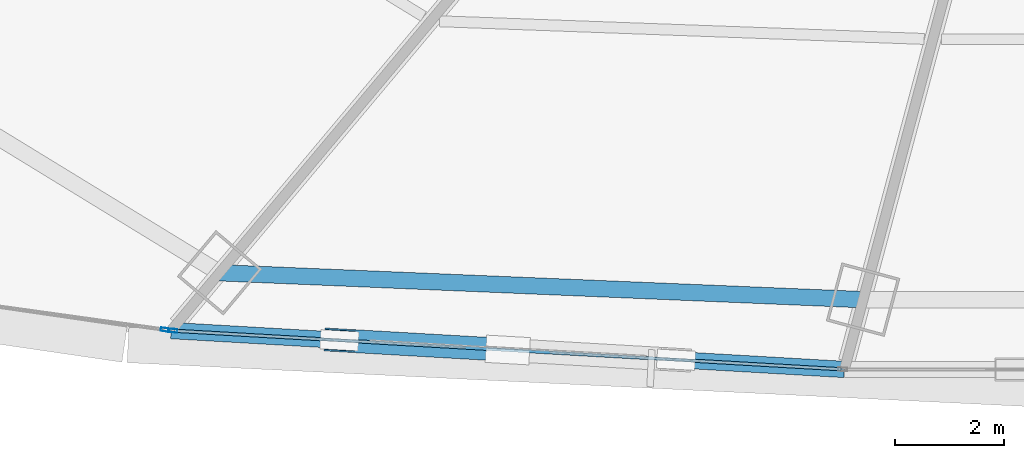
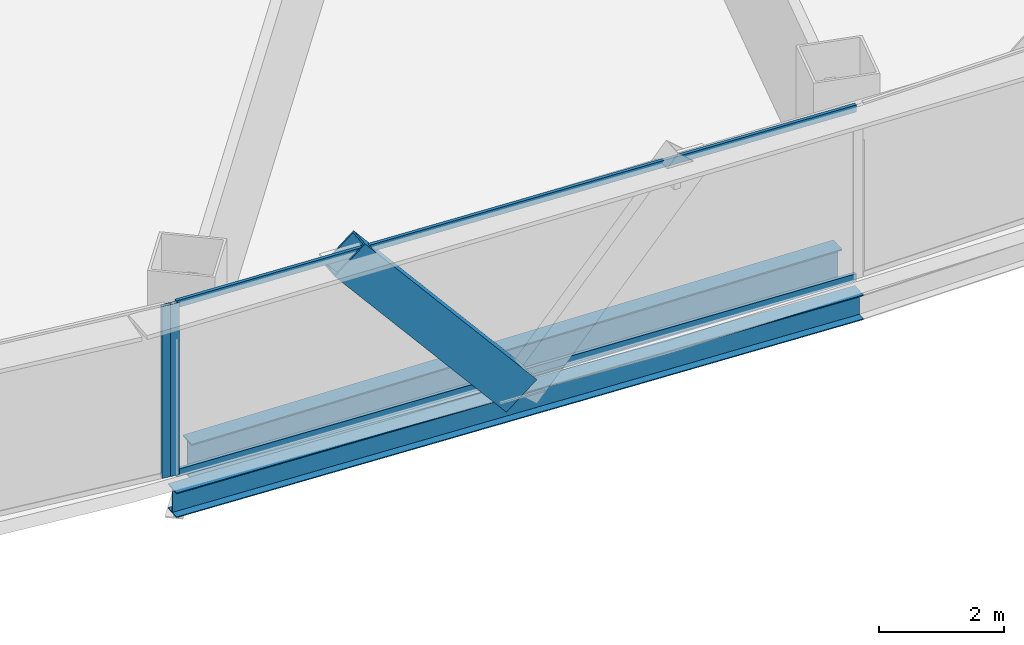
# One storey, part 6 of 37: 5 members, 2 beams, 2 elements without a shape of their own.
"""IFC4 building model written with IfcOpenShell, lengths in metres."""

from ifc_helpers import new_model, si_unit, direction, frame, origin, origin_2d, place, context, subcontext, project, spatial, hollow_rectangle, i_section, extrude, source, transform, mapped, material, layer, layer_set, material_profile, profile_set, type_object, element, aggregate, save


model = new_model("IFC4")

# Units and contexts
model_context = context("Model", 3, precision=1e-05, world=origin(), true_north=direction((0.0, 1.0)))
body_context = subcontext(model_context, "Body", "Model", "MODEL_VIEW")
ifc_project = project(units=[si_unit("LENGTHUNIT", "METRE"), si_unit("AREAUNIT", "SQUARE_METRE"), si_unit("VOLUMEUNIT", "CUBIC_METRE"), si_unit("PLANEANGLEUNIT", "RADIAN"), si_unit("MASSUNIT", "GRAM", prefix="KILO"), si_unit("THERMODYNAMICTEMPERATUREUNIT", "KELVIN"), si_unit("POWERUNIT", "WATT")], contexts=[model_context])

# Site, building, storey
site_placement = place(None, origin())
site = spatial("IfcSite", under=ifc_project, at=site_placement, CompositionType="ELEMENT")
building_placement = place(site_placement, origin())
building = spatial("IfcBuilding", under=site, at=building_placement, Name="Yunzhuo Pagoda Commons", CompositionType="ELEMENT")
storey_placement = place(building_placement, frame((0.0, 0.0, 55.81005859375)))
storey = spatial("IfcBuildingStorey", under=building, at=storey_placement, Name="L14", CompositionType="ELEMENT", Elevation=55.81005859375)

# Beams
ifc_material_1 = material(Name="Structural steel Q355B", Category="steel")
ifc_material_profile_1 = material_profile(ifc_material_1, i_section(OverallWidth=0.300048828125, OverallDepth=0.699951171875, WebThickness=0.012939453125, FlangeThickness=0.02392578125, at=origin_2d()), Name="Structural steel Q355B")
ifc_profile_set_1 = profile_set([ifc_material_profile_1], Name="Structural steel Q355B")
beam_type_1 = type_object("IfcBeamType", Name="B-RG1 Beam HN 700x300x13x24", PredefinedType="BEAM", material=ifc_profile_set_1)
shared_shape_1 = source(origin(), body_context, "Body", "SweptSolid", [
    extrude(i_section(OverallWidth=0.300048828125, OverallDepth=0.699951171875, WebThickness=0.012939453125, FlangeThickness=0.02392578125, at=origin_2d()), origin(), (0.0, 0.0, 1.0), 11.7900390625),
])
beam_1_placement = place(storey_placement, frame((30.5, 12.844482421875, -0.610107421875), z_axis=(0.99912739354, -0.041766631146, 0.0), x_axis=(0.041766631146, 0.99912739354, 0.0)))
element("IfcBeam", 1, at=beam_1_placement, inside=storey, type_object=beam_type_1, Name="L14 column-ring beam 1", PredefinedType="BEAM", context=body_context, shape_type="MappedRepresentation", body=[
    mapped(shared_shape_1, transform((0.0, 0.0, 0.0), scale=1.0)),
])
ifc_material_profile_2 = material_profile(ifc_material_1, i_section(OverallWidth=0.300048828125, OverallDepth=0.488037109375, WebThickness=0.010986328125, FlangeThickness=0.01806640625, at=origin_2d()), Name="Structural steel Q355B")
ifc_profile_set_2 = profile_set([ifc_material_profile_2], Name="Structural steel Q355B")
beam_type_2 = type_object("IfcBeamType", Name="B-SP1 Beam HM 488x300x11x18", PredefinedType="BEAM", material=ifc_profile_set_2)
shared_shape_2 = source(origin(), body_context, "Body", "SweptSolid", [
    extrude(i_section(OverallWidth=0.300048828125, OverallDepth=0.488037109375, WebThickness=0.010986328125, FlangeThickness=0.01806640625, at=origin_2d()), origin(), (0.0, 0.0, 1.0), 12.345703125),
])
beam_2_placement = place(storey_placement, frame((29.6123046875, 11.78662109375, -0.504150390625), z_axis=(0.998336003237, -0.057664760824, 0.0), x_axis=(0.057664760824, 0.998336003237, 0.0)))
element("IfcBeam", 2, at=beam_2_placement, inside=storey, type_object=beam_type_2, Name="L14 facade edge spandrel beam F1.1", PredefinedType="BEAM", context=body_context, shape_type="MappedRepresentation", body=[
    mapped(shared_shape_2, transform((0.0, 0.0, 0.0), scale=1.0)),
])

# Member
ifc_material_2 = material(Name="Structural steel Q420B", Category="steel")
ifc_material_profile_3 = material_profile(ifc_material_2, hollow_rectangle(XDim=0.419921875, YDim=0.719970703125, WallThickness=0.028076171875, at=origin_2d()), Name="Structural steel Q420B")
ifc_profile_set_3 = profile_set([ifc_material_profile_3], Name="Structural steel Q420B")
member_type_1 = type_object("IfcMemberType", Name="M-DL1 Brace BOX 720x420x28", PredefinedType="BRACE", material=ifc_profile_set_3)
shared_shape_3 = source(origin(), body_context, "Body", "SweptSolid", [
    extrude(hollow_rectangle(XDim=0.419921875, YDim=0.719970703125, WallThickness=0.028076171875, at=origin_2d()), origin(), (0.0, 0.0, 1.0), 4.764404296875),
])
member_1_placement = place(storey_placement, frame((35.77490234375, 11.4306640625, -0.260009765625), z_axis=(-0.646667960431, 0.037303825293, 0.761858893477), x_axis=(-0.057590470068, -0.998340291563, 0.0)))
element("IfcMember", 3, at=member_1_placement, inside=storey, type_object=member_type_1, Name="L14 facade diamond brace F1.1L", PredefinedType="BRACE", context=body_context, shape_type="MappedRepresentation", body=[
    mapped(shared_shape_3, transform((0.0, 0.0, 0.0), scale=1.0)),
])

# Curtain wall, member
ifc_material_3 = material(Name="Anodized aluminium 6063-T6", Category="aluminium")
ifc_layer = layer(ifc_material_3, 0.1650390625)
ifc_layer_set = layer_set([ifc_layer], Name="Anodized aluminium 6063-T6")
curtain_wall_type = type_object("IfcCurtainWallType", Name="CW-LOW Low-Zone Ribbon Curtain Wall", PredefinedType="NOTDEFINED", material=ifc_layer_set)
curtain_wall_1_placement = place(storey_placement, origin())
curtain_wall_1 = element("IfcCurtainWall", 4, at=curtain_wall_1_placement, inside=storey, type_object=curtain_wall_type, Name="L14 curtain wall CW-L14-F1B2", PredefinedType="NOTDEFINED")
ifc_material_profile_4 = material_profile(ifc_material_3, hollow_rectangle(XDim=0.06494140625, YDim=0.1650390625, WallThickness=0.00390625, at=origin_2d()), Name="Anodized aluminium 6063-T6")
ifc_profile_set_4 = profile_set([ifc_material_profile_4], Name="Anodized aluminium 6063-T6")
member_type_2 = type_object("IfcMemberType", Name="CW-LOW-M Mullion RHS 165x65x4", PredefinedType="MULLION", material=ifc_profile_set_4)
shared_shape_4 = source(origin(), body_context, "Body", "SweptSolid", [
    extrude(hollow_rectangle(XDim=0.06494140625, YDim=0.1650390625, WallThickness=0.00390625, at=origin_2d()), origin(), (0.0, 0.0, 1.0), 3.369873046875),
])
member_2_placement = place(storey_placement, frame((29.644775390625, 11.78466796875, 0.0), z_axis=(0.0, 0.0, 1.0), x_axis=(0.057664069997, 0.998336043139, 0.0)))
member_2 = element("IfcMember", 5, at=member_2_placement, type_object=member_type_2, Name="CW mullion 1", PredefinedType="MULLION", context=body_context, shape_type="MappedRepresentation", body=[
    mapped(shared_shape_4, transform((0.0, 0.0, 0.0), scale=1.0)),
])

curtain_wall_2_placement = place(storey_placement, origin())
curtain_wall_2 = element("IfcCurtainWall", 6, at=curtain_wall_2_placement, inside=storey, type_object=curtain_wall_type, Name="L14 curtain wall CW-L14-F1B1", PredefinedType="NOTDEFINED")
member_3_placement = place(storey_placement, frame((29.505859375, 11.801513671875, 0.0), z_axis=(0.0, 0.0, 1.0), x_axis=(0.13790498569, 0.990445462871, 0.0)))
member_3 = element("IfcMember", 7, at=member_3_placement, type_object=member_type_2, Name="CW mullion 2", PredefinedType="MULLION", context=body_context, shape_type="MappedRepresentation", body=[
    mapped(shared_shape_4, transform((0.0, 0.0, 0.0), scale=1.0)),
])
aggregate(curtain_wall_2, [member_3])

# Member
ifc_material_profile_5 = material_profile(ifc_material_3, hollow_rectangle(XDim=0.06005859375, YDim=0.139892578125, WallThickness=0.00341796875, at=origin_2d()), Name="Anodized aluminium 6063-T6")
ifc_profile_set_5 = profile_set([ifc_material_profile_5], Name="Anodized aluminium 6063-T6")
member_type_3 = type_object("IfcMemberType", Name="CW-LOW-T Transom RHS 140x60x3.5", PredefinedType="USERDEFINED", material=ifc_profile_set_5)
shared_shape_5 = source(origin(), body_context, "Body", "SweptSolid", [
    extrude(hollow_rectangle(XDim=0.06005859375, YDim=0.139892578125, WallThickness=0.00341796875, at=origin_2d()), origin(), (0.0, 0.0, 1.0), 12.215576171875),
])
member_4_placement = place(storey_placement, frame((29.67724609375, 11.78271484375, 0.030029296875), z_axis=(0.998336315272, -0.057659358375, 0.0), x_axis=(0.057659358375, 0.998336315272, 0.0)))
member_4 = element("IfcMember", 8, at=member_4_placement, type_object=member_type_3, Name="CW transom 1.1", ObjectType="TRANSOM", PredefinedType="USERDEFINED", context=body_context, shape_type="MappedRepresentation", body=[
    mapped(shared_shape_5, transform((0.0, 0.0, 0.0), scale=1.0)),
])

member_5_placement = place(storey_placement, frame((29.67724609375, 11.78271484375, 3.33984375), z_axis=(0.998336315272, -0.057659358375, 0.0), x_axis=(0.057659358375, 0.998336315272, 0.0)))
member_5 = element("IfcMember", 9, at=member_5_placement, type_object=member_type_3, Name="CW transom 1.2", ObjectType="TRANSOM", PredefinedType="USERDEFINED", context=body_context, shape_type="MappedRepresentation", body=[
    mapped(shared_shape_5, transform((0.0, 0.0, 0.0), scale=1.0)),
])

aggregate(curtain_wall_1, [member_2, member_4, member_5])

save(model, "model.ifc")
